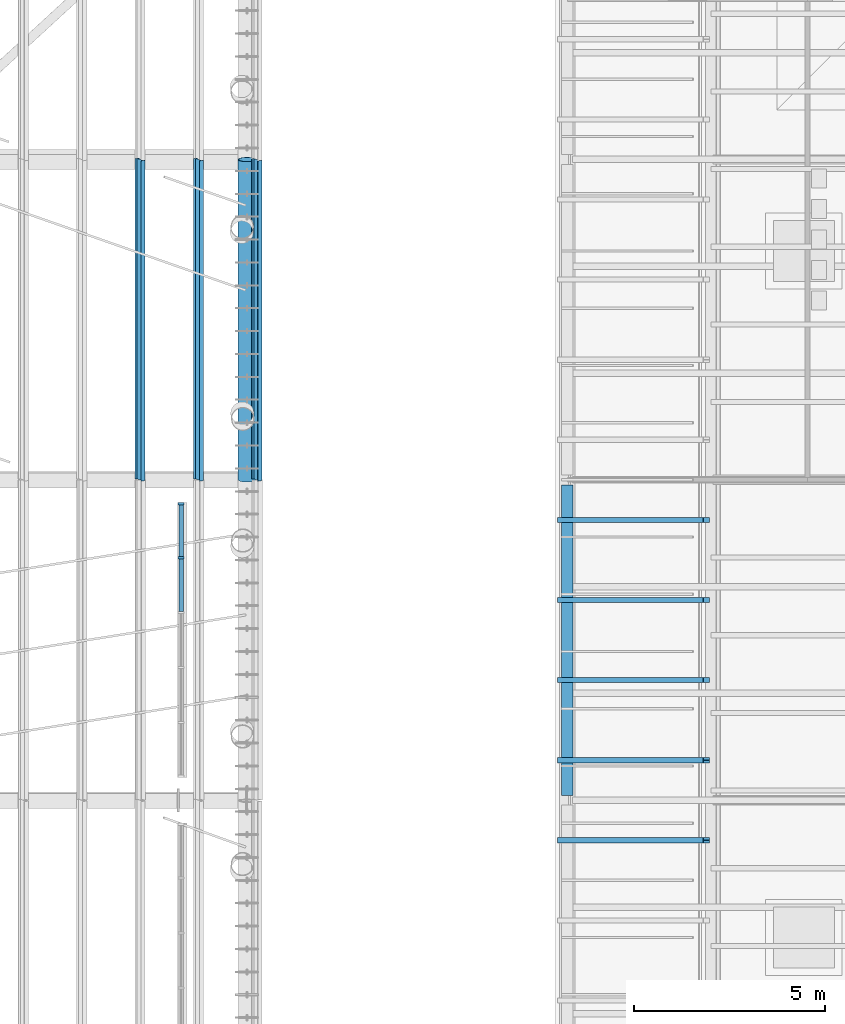
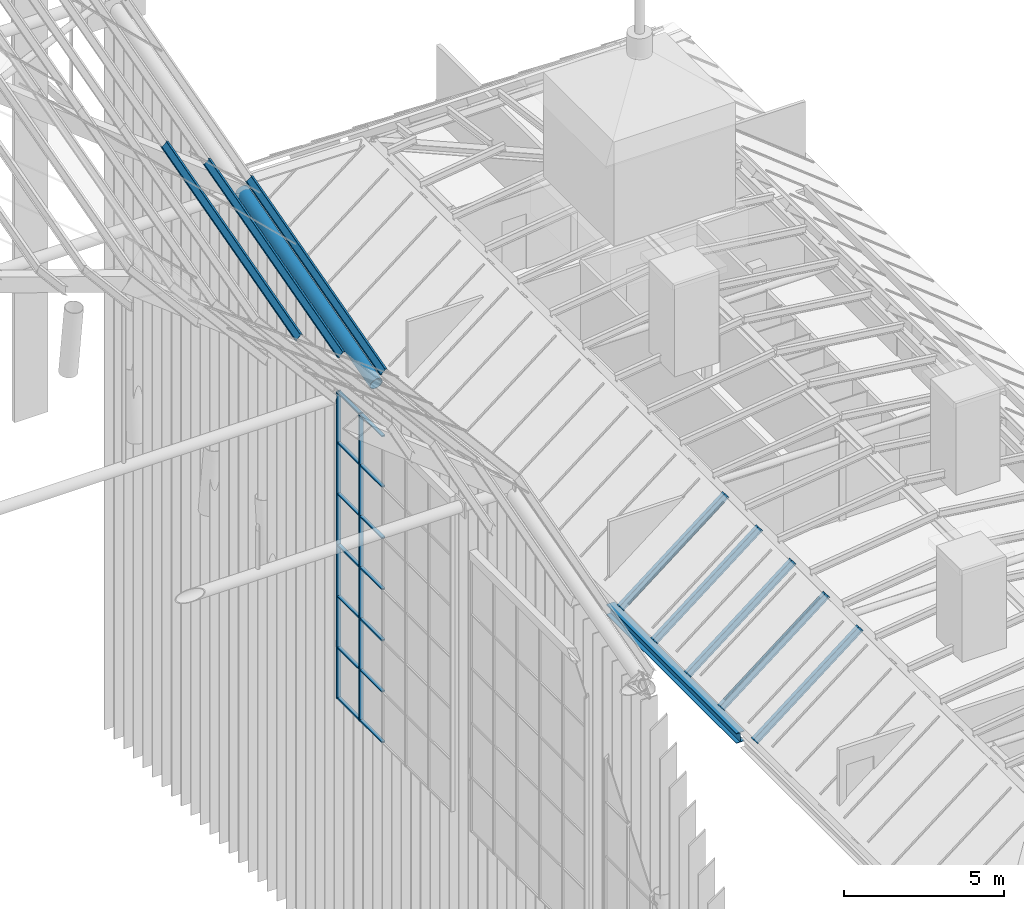
# One storey, part 49 of 126: 24 members, 2 beams, 1 element without a shape of its own.
"""IFC4 building model written with IfcOpenShell, lengths in metres."""

from ifc_helpers import new_model, si_unit, direction, frame, origin, origin_2d, place, context, subcontext, project, spatial, rectangle, hollow_circle, i_section, extrude, material, material_profile, profile_set, type_object, element, aggregate, save


model = new_model("IFC4")

# Units and contexts
model_context = context("Model", 3, precision=1e-05, world=origin(), true_north=direction((0.0, 1.0)))
body_context = subcontext(model_context, "Body", "Model", "MODEL_VIEW")
ifc_project = project(units=[si_unit("LENGTHUNIT", "METRE"), si_unit("AREAUNIT", "SQUARE_METRE"), si_unit("VOLUMEUNIT", "CUBIC_METRE"), si_unit("PLANEANGLEUNIT", "RADIAN"), si_unit("MASSUNIT", "GRAM", prefix="KILO")], contexts=[model_context])

# Site, building, storey
site_placement = place(None, origin())
site = spatial("IfcSite", under=ifc_project, at=site_placement, CompositionType="ELEMENT")
building_placement = place(site_placement, origin())
building = spatial("IfcBuilding", under=site, at=building_placement, Name="Sava Quay Ferry Terminal", CompositionType="ELEMENT")
storey_placement = place(building_placement, frame((0.0, 0.0, 15.0)))
storey = spatial("IfcBuildingStorey", under=building, at=storey_placement, Name="L03", CompositionType="ELEMENT", Elevation=15.0)

# Beams
ifc_material_1 = material(Name="Steel S355", Category="steel")
ifc_material_profile_1 = material_profile(ifc_material_1, hollow_circle(Radius=0.228515625, WallThickness=0.01611328125, at=origin_2d()), Name="CHS 457 x 16.0")
ifc_profile_set_1 = profile_set([ifc_material_profile_1], Name="Steel S355")
beam_type_1 = type_object("IfcBeamType", Name="Eave beam CHS 457x16", PredefinedType="BEAM", material=ifc_profile_set_1)
beam_1_placement = place(storey_placement, frame((84.0, 84.0, 11.029052734375), z_axis=(0.0, 0.964560390264, 0.263862186629), x_axis=(-1.0, 0.0, 0.0)))
element("IfcBeam", 1, at=beam_1_placement, inside=storey, type_object=beam_type_1, Name="Departure hall eave beam R5", PredefinedType="BEAM", context=body_context, shape_type="SweptSolid", body=[
    extrude(hollow_circle(Radius=0.228515625, WallThickness=0.01611328125, at=origin_2d()), origin(), (0.0, 0.0, 1.0), 8.70849609375),
])
ifc_material_2 = material(Name="Steel S355", Category="steel")
ifc_material_profile_2 = material_profile(ifc_material_2, i_section(OverallWidth=0.300048828125, OverallDepth=0.389892578125, WebThickness=0.010986328125, FlangeThickness=0.01904296875, at=origin_2d()), Name="HE 400 A")
ifc_profile_set_2 = profile_set([ifc_material_profile_2], Name="Steel S355")
beam_type_2 = type_object("IfcBeamType", Name="Girder HE 400 A", PredefinedType="BEAM", material=ifc_profile_set_2)
beam_2_placement = place(storey_placement, frame((92.39990234375, 75.72998046875, -0.41162109375), z_axis=(0.0, 1.0, 0.0), x_axis=(-1.0, 0.0, 0.0)))
element("IfcBeam", 2, at=beam_2_placement, inside=storey, type_object=beam_type_2, Name="Girder L03", PredefinedType="BEAM", context=body_context, shape_type="SweptSolid", body=[
    extrude(i_section(OverallWidth=0.300048828125, OverallDepth=0.389892578125, WebThickness=0.010986328125, FlangeThickness=0.01904296875, at=origin_2d()), origin(), (0.0, 0.0, 1.0), 8.14013671875),
])

# Members
ifc_material_3 = material(Name="Steel S355", Category="steel")
ifc_material_profile_3 = material_profile(ifc_material_3, i_section(OverallWidth=0.135009765625, OverallDepth=0.27001953125, WebThickness=0.006591796875, FlangeThickness=0.01025390625, at=origin_2d()), Name="IPE 270")
ifc_profile_set_3 = profile_set([ifc_material_profile_3], Name="Steel S355")
member_type_1 = type_object("IfcMemberType", Name="Mansard rafter IPE 270", PredefinedType="RAFTER", material=ifc_profile_set_3)
for number, where, z_axis, x_axis, name in (
    (3, (92.22705078125, 82.949951171875, 0.22021484375), (0.786313104704, 0.0, 0.617828213479), (0.0, 1.0, 0.0), "Mansard rafter O-L3-RA12"),
    (4, (92.22705078125, 80.85009765625, 0.22021484375), (0.786313104704, 0.0, 0.617828213479), (0.0, 1.0, 0.0), "Mansard rafter O-L3-RA13"),
    (5, (92.22705078125, 78.75, 0.22021484375), (0.786313104704, 0.0, 0.617828213479), (0.0, 1.0, 0.0), "Mansard rafter O-L3-RA14"),
    (6, (92.22705078125, 76.64990234375, 0.22021484375), (0.786313104704, 0.0, 0.617828213479), (0.0, 1.0, 0.0), "Mansard rafter O-L3-RA15"),
    (7, (92.22705078125, 74.550048828125, 0.22021484375), (0.786313104704, 0.0, 0.617828213479), (0.0, 1.0, 0.0), "Mansard rafter O-L3-RA16"),
):
    element("IfcMember", number, at=place(storey_placement, frame(where, z_axis=z_axis, x_axis=x_axis)), inside=storey, type_object=member_type_1, Name=name, PredefinedType="RAFTER", context=body_context, shape_type="SweptSolid", body=[
        extrude(i_section(OverallWidth=0.135009765625, OverallDepth=0.27001953125, WebThickness=0.006591796875, FlangeThickness=0.01025390625, at=origin_2d()), origin(), (0.0, 0.0, 1.0), 4.855712890625),
    ])

# Curtain wall, members
ifc_material_4 = material(Name="Aluminium and glass curtain wall, double low-e glazed", Category="aluminium")
curtain_wall_type = type_object("IfcCurtainWallType", Name="Curtain wall CW-F flank", PredefinedType="NOTDEFINED", material=ifc_material_4)
curtain_wall_placement = place(storey_placement, origin())
curtain_wall = element("IfcCurtainWall", 8, at=curtain_wall_placement, inside=storey, type_object=curtain_wall_type, Name="Curtain wall D-E L03 bay 4", PredefinedType="NOTDEFINED")
ifc_material_5 = material(Name="Aluminium EN AW-6063 T6", Category="aluminium")
ifc_material_profile_4 = material_profile(ifc_material_5, rectangle(XDim=0.14990234375, YDim=0.06005859375, at=origin_2d()), Name="Mullion 60x150 aluminium")
ifc_profile_set_4 = profile_set([ifc_material_profile_4], Name="Aluminium EN AW-6063 T6")
member_type_2 = type_object("IfcMemberType", Name="Mullion 60x150 aluminium", PredefinedType="MULLION", material=ifc_profile_set_4)
member_1_placement = place(storey_placement, frame((82.27490234375, 81.9599609375, 0.0), z_axis=(0.0, 0.0, 1.0), x_axis=(-1.0, 0.0, 0.0)))
member_1 = element("IfcMember", 9, at=member_1_placement, type_object=member_type_2, Name="CW50 mullion 5", PredefinedType="MULLION", context=body_context, shape_type="SweptSolid", body=[
    extrude(rectangle(XDim=0.14990234375, YDim=0.06005859375, at=origin_2d()), origin(), (0.0, 0.0, 1.0), 11.75),
])
member_2_placement = place(storey_placement, frame((82.27490234375, 83.3701171875, 0.0), z_axis=(0.0, 0.0, 1.0), x_axis=(-1.0, 0.0, 0.0)))
member_2 = element("IfcMember", 10, at=member_2_placement, type_object=member_type_2, Name="CW50 mullion 6", PredefinedType="MULLION", context=body_context, shape_type="SweptSolid", body=[
    extrude(rectangle(XDim=0.14990234375, YDim=0.06005859375, at=origin_2d()), origin(), (0.0, 0.0, 1.0), 11.75),
])

# Members
ifc_material_6 = material(Name="Steel S355", Category="steel")
ifc_material_profile_5 = material_profile(ifc_material_6, i_section(OverallWidth=0.135009765625, OverallDepth=0.27001953125, WebThickness=0.006591796875, FlangeThickness=0.01025390625, at=origin_2d()), Name="IPE 270")
ifc_profile_set_5 = profile_set([ifc_material_profile_5], Name="Steel S355")
member_type_3 = type_object("IfcMemberType", Name="Roof purlin IPE 270", PredefinedType="PURLIN", material=ifc_profile_set_5)
for number, where, z_axis, x_axis, name in (
    (11, (81.199462890625, 84.0, 13.78173828125), (0.0, 0.964553254836, 0.263888269132), (-0.798620025874, -0.158817347079, 0.580502458685), "Departure hall purlin bay 5 M4.4"),
    (12, (82.730712890625, 84.0, 12.58544921875), (0.0, 0.964553254836, 0.263888269132), (-0.798620025874, -0.158817347079, 0.580502458685), "Departure hall purlin bay 5 M4.5"),
    (13, (84.26171875, 84.0, 11.38916015625), (0.0, 0.964553254836, 0.263888269132), (-0.798620025874, -0.158817347079, 0.580502458685), "Departure hall edge purlin bay 5 V5"),
):
    element("IfcMember", number, at=place(storey_placement, frame(where, z_axis=z_axis, x_axis=x_axis)), inside=storey, type_object=member_type_3, Name=name, PredefinedType="PURLIN", context=body_context, shape_type="SweptSolid", body=[
        extrude(i_section(OverallWidth=0.135009765625, OverallDepth=0.27001953125, WebThickness=0.006591796875, FlangeThickness=0.01025390625, at=origin_2d()), origin(), (0.0, 0.0, 1.0), 8.70849609375),
    ])

# Member
ifc_material_7 = material(Name="Aluminium EN AW-6063 T6", Category="aluminium")
ifc_material_profile_6 = material_profile(ifc_material_7, rectangle(XDim=0.1201171875, YDim=0.050048828125, at=origin_2d()), Name="Transom 50x120 aluminium")
ifc_profile_set_6 = profile_set([ifc_material_profile_6], Name="Aluminium EN AW-6063 T6")
member_type_4 = type_object("IfcMemberType", Name="Transom 50x120 aluminium", PredefinedType="USERDEFINED", material=ifc_profile_set_6)
member_3_placement = place(storey_placement, frame((82.27490234375, 80.550048828125, 0.02490234375), z_axis=(0.0, 1.0, 0.0), x_axis=(-1.0, 0.0, 0.0)))
member_3 = element("IfcMember", 14, at=member_3_placement, type_object=member_type_4, Name="CW50 transom 4.1", ObjectType="TRANSOM", PredefinedType="USERDEFINED", context=body_context, shape_type="SweptSolid", body=[
    extrude(rectangle(XDim=0.1201171875, YDim=0.050048828125, at=origin_2d()), origin(), (0.0, 0.0, 1.0), 1.3798828125),
])

member_4_placement = place(storey_placement, frame((82.27490234375, 80.550048828125, 1.958251953125), z_axis=(0.0, 1.0, 0.0), x_axis=(-1.0, 0.0, 0.0)))
member_4 = element("IfcMember", 15, at=member_4_placement, type_object=member_type_4, Name="CW50 transom 4.2", ObjectType="TRANSOM", PredefinedType="USERDEFINED", context=body_context, shape_type="SweptSolid", body=[
    extrude(rectangle(XDim=0.1201171875, YDim=0.050048828125, at=origin_2d()), origin(), (0.0, 0.0, 1.0), 1.3798828125),
])

member_5_placement = place(storey_placement, frame((82.27490234375, 80.550048828125, 3.916748046875), z_axis=(0.0, 1.0, 0.0), x_axis=(-1.0, 0.0, 0.0)))
member_5 = element("IfcMember", 16, at=member_5_placement, type_object=member_type_4, Name="CW50 transom 4.3", ObjectType="TRANSOM", PredefinedType="USERDEFINED", context=body_context, shape_type="SweptSolid", body=[
    extrude(rectangle(XDim=0.1201171875, YDim=0.050048828125, at=origin_2d()), origin(), (0.0, 0.0, 1.0), 1.3798828125),
])

member_6_placement = place(storey_placement, frame((82.27490234375, 80.550048828125, 5.875), z_axis=(0.0, 1.0, 0.0), x_axis=(-1.0, 0.0, 0.0)))
member_6 = element("IfcMember", 17, at=member_6_placement, type_object=member_type_4, Name="CW50 transom 4.4", ObjectType="TRANSOM", PredefinedType="USERDEFINED", context=body_context, shape_type="SweptSolid", body=[
    extrude(rectangle(XDim=0.1201171875, YDim=0.050048828125, at=origin_2d()), origin(), (0.0, 0.0, 1.0), 1.3798828125),
])

member_7_placement = place(storey_placement, frame((82.27490234375, 80.550048828125, 7.833251953125), z_axis=(0.0, 1.0, 0.0), x_axis=(-1.0, 0.0, 0.0)))
member_7 = element("IfcMember", 18, at=member_7_placement, type_object=member_type_4, Name="CW50 transom 4.5", ObjectType="TRANSOM", PredefinedType="USERDEFINED", context=body_context, shape_type="SweptSolid", body=[
    extrude(rectangle(XDim=0.1201171875, YDim=0.050048828125, at=origin_2d()), origin(), (0.0, 0.0, 1.0), 1.3798828125),
])

member_8_placement = place(storey_placement, frame((82.27490234375, 80.550048828125, 9.791748046875), z_axis=(0.0, 1.0, 0.0), x_axis=(-1.0, 0.0, 0.0)))
member_8 = element("IfcMember", 19, at=member_8_placement, type_object=member_type_4, Name="CW50 transom 4.6", ObjectType="TRANSOM", PredefinedType="USERDEFINED", context=body_context, shape_type="SweptSolid", body=[
    extrude(rectangle(XDim=0.1201171875, YDim=0.050048828125, at=origin_2d()), origin(), (0.0, 0.0, 1.0), 1.3798828125),
])

member_9_placement = place(storey_placement, frame((82.27490234375, 80.550048828125, 11.72509765625), z_axis=(0.0, 1.0, 0.0), x_axis=(-1.0, 0.0, 0.0)))
member_9 = element("IfcMember", 20, at=member_9_placement, type_object=member_type_4, Name="CW50 transom 4.7", ObjectType="TRANSOM", PredefinedType="USERDEFINED", context=body_context, shape_type="SweptSolid", body=[
    extrude(rectangle(XDim=0.1201171875, YDim=0.050048828125, at=origin_2d()), origin(), (0.0, 0.0, 1.0), 1.3798828125),
])

member_10_placement = place(storey_placement, frame((82.27490234375, 81.989990234375, 0.02490234375), z_axis=(0.0, 1.0, 0.0), x_axis=(-1.0, 0.0, 0.0)))
member_10 = element("IfcMember", 21, at=member_10_placement, type_object=member_type_4, Name="CW50 transom 5.1", ObjectType="TRANSOM", PredefinedType="USERDEFINED", context=body_context, shape_type="SweptSolid", body=[
    extrude(rectangle(XDim=0.1201171875, YDim=0.050048828125, at=origin_2d()), origin(), (0.0, 0.0, 1.0), 1.35009765625),
])

member_11_placement = place(storey_placement, frame((82.27490234375, 81.989990234375, 1.958251953125), z_axis=(0.0, 1.0, 0.0), x_axis=(-1.0, 0.0, 0.0)))
member_11 = element("IfcMember", 22, at=member_11_placement, type_object=member_type_4, Name="CW50 transom 5.2", ObjectType="TRANSOM", PredefinedType="USERDEFINED", context=body_context, shape_type="SweptSolid", body=[
    extrude(rectangle(XDim=0.1201171875, YDim=0.050048828125, at=origin_2d()), origin(), (0.0, 0.0, 1.0), 1.35009765625),
])

member_12_placement = place(storey_placement, frame((82.27490234375, 81.989990234375, 3.916748046875), z_axis=(0.0, 1.0, 0.0), x_axis=(-1.0, 0.0, 0.0)))
member_12 = element("IfcMember", 23, at=member_12_placement, type_object=member_type_4, Name="CW50 transom 5.3", ObjectType="TRANSOM", PredefinedType="USERDEFINED", context=body_context, shape_type="SweptSolid", body=[
    extrude(rectangle(XDim=0.1201171875, YDim=0.050048828125, at=origin_2d()), origin(), (0.0, 0.0, 1.0), 1.35009765625),
])

member_13_placement = place(storey_placement, frame((82.27490234375, 81.989990234375, 5.875), z_axis=(0.0, 1.0, 0.0), x_axis=(-1.0, 0.0, 0.0)))
member_13 = element("IfcMember", 24, at=member_13_placement, type_object=member_type_4, Name="CW50 transom 5.4", ObjectType="TRANSOM", PredefinedType="USERDEFINED", context=body_context, shape_type="SweptSolid", body=[
    extrude(rectangle(XDim=0.1201171875, YDim=0.050048828125, at=origin_2d()), origin(), (0.0, 0.0, 1.0), 1.35009765625),
])

member_14_placement = place(storey_placement, frame((82.27490234375, 81.989990234375, 7.833251953125), z_axis=(0.0, 1.0, 0.0), x_axis=(-1.0, 0.0, 0.0)))
member_14 = element("IfcMember", 25, at=member_14_placement, type_object=member_type_4, Name="CW50 transom 5.5", ObjectType="TRANSOM", PredefinedType="USERDEFINED", context=body_context, shape_type="SweptSolid", body=[
    extrude(rectangle(XDim=0.1201171875, YDim=0.050048828125, at=origin_2d()), origin(), (0.0, 0.0, 1.0), 1.35009765625),
])

member_15_placement = place(storey_placement, frame((82.27490234375, 81.989990234375, 9.791748046875), z_axis=(0.0, 1.0, 0.0), x_axis=(-1.0, 0.0, 0.0)))
member_15 = element("IfcMember", 26, at=member_15_placement, type_object=member_type_4, Name="CW50 transom 5.6", ObjectType="TRANSOM", PredefinedType="USERDEFINED", context=body_context, shape_type="SweptSolid", body=[
    extrude(rectangle(XDim=0.1201171875, YDim=0.050048828125, at=origin_2d()), origin(), (0.0, 0.0, 1.0), 1.35009765625),
])

member_16_placement = place(storey_placement, frame((82.27490234375, 81.989990234375, 11.72509765625), z_axis=(0.0, 1.0, 0.0), x_axis=(-1.0, 0.0, 0.0)))
member_16 = element("IfcMember", 27, at=member_16_placement, type_object=member_type_4, Name="CW50 transom 5.7", ObjectType="TRANSOM", PredefinedType="USERDEFINED", context=body_context, shape_type="SweptSolid", body=[
    extrude(rectangle(XDim=0.1201171875, YDim=0.050048828125, at=origin_2d()), origin(), (0.0, 0.0, 1.0), 1.35009765625),
])

aggregate(curtain_wall, [member_1, member_2, member_3, member_4, member_5, member_6, member_7, member_8, member_9, member_10, member_11, member_12, member_13, member_14, member_15, member_16])

save(model, "model.ifc")
